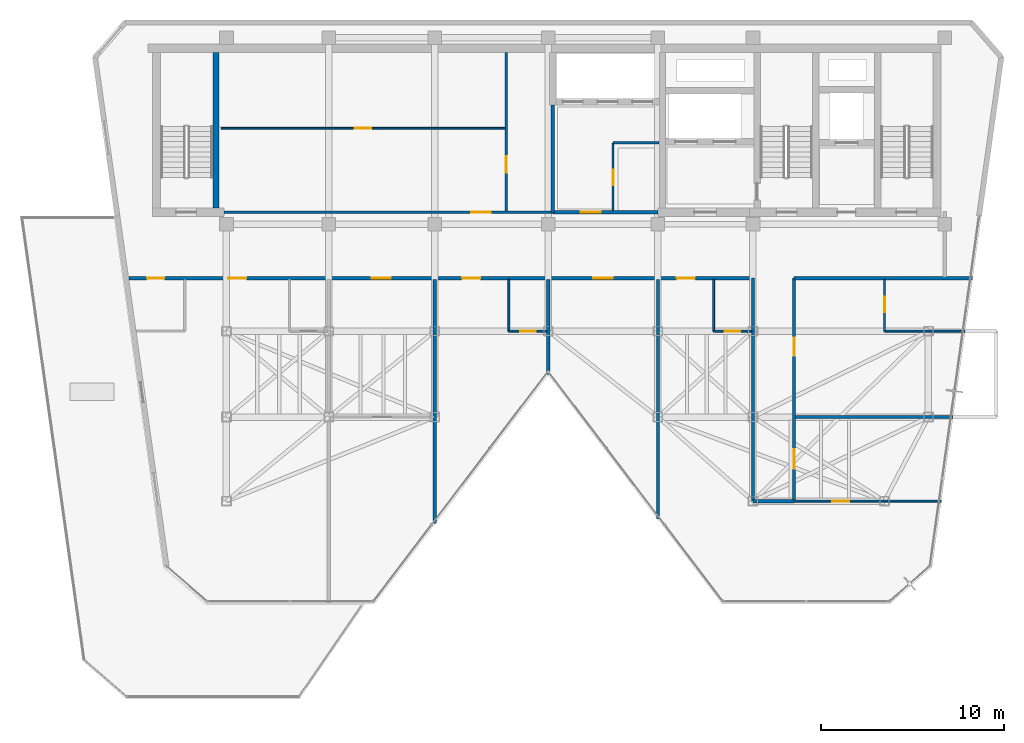
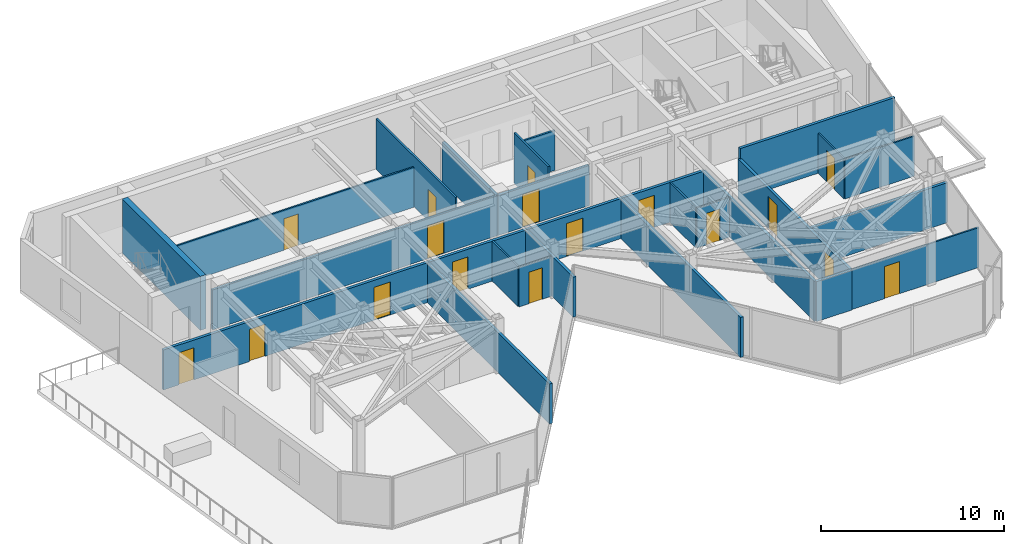
# One storey, part 16 of 21: 24 walls, 17 doors, 17 openings.
"""IFC4 building model written with IfcOpenShell, lengths in metres."""

from ifc_helpers import new_model, si_unit, direction, frame, frame_2d, origin, place, context, subcontext, project, spatial, rectangle, extrude, material, layer, layer_set, type_object, element, fill, save


model = new_model("IFC4")

# Units and contexts
model_context = context("Model", 3, precision=1e-05, world=origin(), true_north=direction((0.0, 1.0)))
body_context = subcontext(model_context, "Body", "Model", "MODEL_VIEW")
ifc_project = project(units=[si_unit("LENGTHUNIT", "METRE"), si_unit("AREAUNIT", "SQUARE_METRE"), si_unit("VOLUMEUNIT", "CUBIC_METRE"), si_unit("PLANEANGLEUNIT", "RADIAN"), si_unit("MASSUNIT", "GRAM", prefix="KILO")], contexts=[model_context])

# Site, building, storey
site_placement = place(None, origin())
site = spatial("IfcSite", under=ifc_project, at=site_placement, CompositionType="ELEMENT")
building_placement = place(site_placement, origin())
building = spatial("IfcBuilding", under=site, at=building_placement, Name="Kravanh Interchange Tower", CompositionType="ELEMENT")
storey_placement = place(building_placement, frame((0.0, 0.0, 231.0)))
storey = spatial("IfcBuildingStorey", under=building, at=storey_placement, Name="L55", CompositionType="ELEMENT", Elevation=231.0)

# Wall, opening, door
ifc_material_1 = material(Name="Double Acoustic Gypsum Board and Mineral Wool")
ifc_layer_1 = layer(ifc_material_1, 0.1201171875)
ifc_layer_set_1 = layer_set([ifc_layer_1], Name="Acoustic Office Drywall Partition 120mm")
wall_type_1 = type_object("IfcWallType", Name="Acoustic Office Drywall Partition 120mm", PredefinedType="PARTITIONING", material=ifc_layer_set_1)
wall_1_placement = place(storey_placement, frame((48.35009765625, 38.068115234375, 0.0), z_axis=(0.0, 0.0, 1.0), x_axis=(0.0, 1.0, 0.0)))
wall_1 = element("IfcWall", 1, at=wall_1_placement, inside=storey, type_object=wall_type_1, Name="L55 Interior Partition 2", PredefinedType="PARTITIONING", context=body_context, shape_type="SweptSolid", body=[
    extrude(rectangle(XDim=3.73193359375, YDim=0.1201171875, at=frame_2d((1.865966796875, 0.0))), origin(), (0.0, 0.0, 1.0), 3.360107421875),
])
opening_1_placement = place(wall_1_placement, frame((1.406982421875, 0.0, 0.0)))
opening_1 = element("IfcOpeningElement", 2, at=opening_1_placement, cuts=wall_1, Name="Opening D-85", PredefinedType="OPENING", context=body_context, shape_type="SweptSolid", body=[
    extrude(rectangle(XDim=0.85009765625, YDim=2.10009765625, at=frame_2d((0.425048828125, 1.050048828125))), frame((0.0, 0.070068359375, 0.0), z_axis=(0.0, -1.0, 0.0), x_axis=(1.0, 0.0, 0.0)), (0.0, 0.0, 1.0), 0.14013671875),
])
ifc_material_2 = material(Name="Engineered Teak Veneer Timber", Category="wood")
door_type_1 = type_object("IfcDoorType", Name="En-Suite Timber Door 850x2100", OperationType="NOTDEFINED", PredefinedType="DOOR", material=ifc_material_2)
door_1_placement = place(opening_1_placement, origin())
door_1 = element("IfcDoor", 3, at=door_1_placement, inside=storey, type_object=door_type_1, Name="L55 Core Electrical Closet Door", OperationType="SINGLE_SWING_RIGHT", OverallHeight=2.10009765625, OverallWidth=0.85009765625, PredefinedType="DOOR", context=body_context, shape_type="SweptSolid", body=[
    extrude(rectangle(XDim=0.85009765625, YDim=2.10009765625, at=frame_2d((0.425048828125, 1.050048828125))), frame((0.0, 0.02490234375, 0.0), z_axis=(0.0, -1.0, 0.0), x_axis=(1.0, 0.0, 0.0)), (0.0, 0.0, 1.0), 0.050048828125),
])
fill(opening_1, door_1)

# Wall
wall_2_placement = place(storey_placement, frame((48.35009765625, 41.800048828125, 0.0), z_axis=(0.0, 0.0, 1.0), x_axis=(1.0, 0.0, 0.0)))
element("IfcWall", 4, at=wall_2_placement, inside=storey, type_object=wall_type_1, Name="L55 Interior Partition 3", PredefinedType="PARTITIONING", context=body_context, shape_type="SweptSolid", body=[
    extrude(rectangle(XDim=2.5, YDim=0.1201171875, at=frame_2d((1.25, 0.0))), origin(), (0.0, 0.0, 1.0), 2.6640625),
])

# Wall, opening, door
wall_3_placement = place(storey_placement, frame((42.5, 38.068115234375, 0.0), z_axis=(0.0, 0.0, 1.0), x_axis=(0.0, 1.0, 0.0)))
wall_3 = element("IfcWall", 5, at=wall_3_placement, inside=storey, type_object=wall_type_1, Name="L55 Interior Partition 7", PredefinedType="PARTITIONING", context=body_context, shape_type="SweptSolid", body=[
    extrude(rectangle(XDim=8.673828125, YDim=0.1201171875, at=frame_2d((4.3369140625, 0.0))), origin(), (0.0, 0.0, 1.0), 3.360107421875),
])
opening_2_placement = place(wall_3_placement, frame((2.09130859375, 0.0, 0.0)))
opening_2 = element("IfcOpeningElement", 6, at=opening_2_placement, cuts=wall_3, Name="Opening D-90", PredefinedType="OPENING", context=body_context, shape_type="SweptSolid", body=[
    extrude(rectangle(XDim=0.89990234375, YDim=2.10009765625, at=frame_2d((0.449951171875, 1.050048828125))), frame((0.0, 0.070068359375, 0.0), z_axis=(0.0, -1.0, 0.0), x_axis=(1.0, 0.0, 0.0)), (0.0, 0.0, 1.0), 0.14013671875),
])
ifc_material_3 = material(Name="Painted Solid-Core Timber", Category="wood")
door_type_2 = type_object("IfcDoorType", Name="Service Room Door 900x2100", OperationType="NOTDEFINED", PredefinedType="DOOR", material=ifc_material_3)
door_2_placement = place(opening_2_placement, origin())
door_2 = element("IfcDoor", 7, at=door_2_placement, inside=storey, type_object=door_type_2, Name="L55 Housekeeping Inner Door", OperationType="SINGLE_SWING_LEFT", OverallHeight=2.10009765625, OverallWidth=0.89990234375, PredefinedType="DOOR", context=body_context, shape_type="SweptSolid", body=[
    extrude(rectangle(XDim=0.89990234375, YDim=2.10009765625, at=frame_2d((0.449951171875, 1.050048828125))), frame((0.0, 0.02490234375, 0.0), z_axis=(0.0, -1.0, 0.0), x_axis=(1.0, 0.0, 0.0)), (0.0, 0.0, 1.0), 0.050048828125),
])
fill(opening_2, door_2)

# Wall
ifc_material_4 = material(Name="Concrete C60/75", Category="concrete")
ifc_layer_2 = layer(ifc_material_4, 0.35009765625)
ifc_layer_set_2 = layer_set([ifc_layer_2], Name="Core Shear Wall Concrete C60/75 350mm")
wall_type_2 = type_object("IfcWallType", Name="Core Shear Wall Concrete C60/75 350mm", PredefinedType="SHEAR", material=ifc_layer_set_2)
wall_4_placement = place(storey_placement, frame((26.625, 38.22509765625, 0.0), z_axis=(0.0, 0.0, 1.0), x_axis=(0.0, 1.0, 0.0)))
element("IfcWall", 8, at=wall_4_placement, inside=storey, type_object=wall_type_2, Name="L55 Stair ST3 East Shear Wall", PredefinedType="SHEAR", context=body_context, shape_type="SweptSolid", body=[
    extrude(rectangle(XDim=8.52490234375, YDim=0.35009765625, at=frame_2d((4.262451171875, 0.0))), origin(), (0.0, 0.0, 1.0), 3.60009765625),
])

# Wall, opening, door
ifc_material_5 = material(Name="Moisture-Resistant Gypsum Board and Mineral Wool")
ifc_layer_3 = layer(ifc_material_5, 0.10009765625)
ifc_layer_set_3 = layer_set([ifc_layer_3], Name="En-Suite Moisture-Resistant Partition 100mm")
wall_type_3 = type_object("IfcWallType", Name="En-Suite Moisture-Resistant Partition 100mm", PredefinedType="PARTITIONING", material=ifc_layer_set_3)
wall_5_placement = place(storey_placement, frame((26.91796875, 42.60009765625, 0.0), z_axis=(0.0, 0.0, 1.0), x_axis=(1.0, 0.0, 0.0)))
wall_5 = element("IfcWall", 9, at=wall_5_placement, inside=storey, type_object=wall_type_3, Name="L55 Interior Partition 8", PredefinedType="PARTITIONING", context=body_context, shape_type="SweptSolid", body=[
    extrude(rectangle(XDim=15.513916015625, YDim=0.10009765625, at=frame_2d((7.7568359375, 0.0))), origin(), (0.0, 0.0, 1.0), 2.6640625),
])
opening_3_placement = place(wall_5_placement, frame((7.306884765625, 0.0, 0.0)))
opening_3 = element("IfcOpeningElement", 10, at=opening_3_placement, cuts=wall_5, Name="Opening D-90", PredefinedType="OPENING", context=body_context, shape_type="SweptSolid", body=[
    extrude(rectangle(XDim=0.89990234375, YDim=2.10009765625, at=frame_2d((0.449951171875, 1.050048828125))), frame((0.0, 0.06005859375, 0.0), z_axis=(0.0, -1.0, 0.0), x_axis=(1.0, 0.0, 0.0)), (0.0, 0.0, 1.0), 0.1201171875),
])
door_3_placement = place(opening_3_placement, origin())
door_3 = element("IfcDoor", 11, at=door_3_placement, inside=storey, type_object=door_type_2, Name="L55 Quiet Reading Alcove Inner Door", OperationType="SINGLE_SWING_RIGHT", OverallHeight=2.10009765625, OverallWidth=0.89990234375, PredefinedType="DOOR", context=body_context, shape_type="SweptSolid", body=[
    extrude(rectangle(XDim=0.89990234375, YDim=2.10009765625, at=frame_2d((0.449951171875, 1.050048828125))), frame((0.0, 0.02490234375, 0.0), z_axis=(0.0, -1.0, 0.0), x_axis=(1.0, 0.0, 0.0)), (0.0, 0.0, 1.0), 0.050048828125),
])
fill(opening_3, door_3)

wall_6_placement = place(storey_placement, frame((58.25, 22.199951171875, 0.0), z_axis=(0.0, 0.0, 1.0), x_axis=(1.0, 0.0, 0.0)))
wall_6 = element("IfcWall", 12, at=wall_6_placement, inside=storey, type_object=wall_type_3, Name="L55 Interior Partition 18", PredefinedType="PARTITIONING", context=body_context, shape_type="SweptSolid", body=[
    extrude(rectangle(XDim=8.03857421875, YDim=0.10009765625, at=frame_2d((4.019287109375, 0.0))), origin(), (0.0, 0.0, 1.0), 2.6640625),
])
opening_4_placement = place(wall_6_placement, frame((2.074951171875, 0.0, 0.0)))
opening_4 = element("IfcOpeningElement", 13, at=opening_4_placement, cuts=wall_6, Name="Opening D-95", PredefinedType="OPENING", context=body_context, shape_type="SweptSolid", body=[
    extrude(rectangle(XDim=0.949951171875, YDim=2.14990234375, at=frame_2d((0.47509765625, 1.074951171875))), frame((0.0, 0.06005859375, 0.0), z_axis=(0.0, -1.0, 0.0), x_axis=(1.0, 0.0, 0.0)), (0.0, 0.0, 1.0), 0.1201171875),
])
ifc_material_6 = material(Name="Laminate Solid-Core Timber", Category="wood")
door_type_3 = type_object("IfcDoorType", Name="Accessible Restroom Door 950x2150", OperationType="NOTDEFINED", PredefinedType="DOOR", material=ifc_material_6)
door_4_placement = place(opening_4_placement, origin())
door_4 = element("IfcDoor", 14, at=door_4_placement, inside=storey, type_object=door_type_3, Name="L55 SE Sunroom Inner Door", OperationType="SINGLE_SWING_RIGHT", OverallHeight=2.14990234375, OverallWidth=0.949951171875, PredefinedType="DOOR", context=body_context, shape_type="SweptSolid", body=[
    extrude(rectangle(XDim=0.949951171875, YDim=2.14990234375, at=frame_2d((0.47509765625, 1.074951171875))), frame((0.0, 0.02490234375, 0.0), z_axis=(0.0, -1.0, 0.0), x_axis=(1.0, 0.0, 0.0)), (0.0, 0.0, 1.0), 0.050048828125),
])
fill(opening_4, door_4)

# Wall
wall_7_placement = place(storey_placement, frame((63.199951171875, 31.5, 0.0), z_axis=(0.0, 0.0, 1.0), x_axis=(1.0, 0.0, 0.0)))
element("IfcWall", 15, at=wall_7_placement, inside=storey, type_object=wall_type_3, Name="L55 Interior Partition 19", PredefinedType="PARTITIONING", context=body_context, shape_type="SweptSolid", body=[
    extrude(rectangle(XDim=4.395751953125, YDim=0.10009765625, at=frame_2d((2.19775390625, 0.0))), origin(), (0.0, 0.0, 1.0), 2.6640625),
])

# Wall, opening, door
wall_8_placement = place(storey_placement, frame((63.199951171875, 31.5, 0.0), z_axis=(0.0, 0.0, 1.0), x_axis=(0.0, 1.0, 0.0)))
wall_8 = element("IfcWall", 16, at=wall_8_placement, inside=storey, type_object=wall_type_3, Name="L55 Interior Partition 20", PredefinedType="PARTITIONING", context=body_context, shape_type="SweptSolid", body=[
    extrude(rectangle(XDim=2.83203125, YDim=0.10009765625, at=frame_2d((1.416015625, 0.0))), origin(), (0.0, 0.0, 1.0), 2.6640625),
])
opening_5_placement = place(wall_8_placement, frame((1.02490234375, 0.0, 0.0)))
opening_5 = element("IfcOpeningElement", 17, at=opening_5_placement, cuts=wall_8, Name="Opening D-85", PredefinedType="OPENING", context=body_context, shape_type="SweptSolid", body=[
    extrude(rectangle(XDim=0.85009765625, YDim=2.10009765625, at=frame_2d((0.425048828125, 1.050048828125))), frame((0.0, 0.06005859375, 0.0), z_axis=(0.0, -1.0, 0.0), x_axis=(1.0, 0.0, 0.0)), (0.0, 0.0, 1.0), 0.1201171875),
])
door_5_placement = place(opening_5_placement, origin())
door_5 = element("IfcDoor", 18, at=door_5_placement, inside=storey, type_object=door_type_1, Name="L55 En-suite Bathroom Door", OperationType="SINGLE_SWING_RIGHT", OverallHeight=2.10009765625, OverallWidth=0.85009765625, PredefinedType="DOOR", context=body_context, shape_type="SweptSolid", body=[
    extrude(rectangle(XDim=0.85009765625, YDim=2.10009765625, at=frame_2d((0.425048828125, 1.050048828125))), frame((0.0, 0.02490234375, 0.0), z_axis=(0.0, -1.0, 0.0), x_axis=(1.0, 0.0, 0.0)), (0.0, 0.0, 1.0), 0.050048828125),
])
fill(opening_5, door_5)

# Wall
wall_9_placement = place(storey_placement, frame((42.64990234375, 31.5, 0.0), z_axis=(0.0, 0.0, 1.0), x_axis=(0.0, 1.0, 0.0)))
element("IfcWall", 19, at=wall_9_placement, inside=storey, type_object=wall_type_3, Name="L55 Interior Partition 26", PredefinedType="PARTITIONING", context=body_context, shape_type="SweptSolid", body=[
    extrude(rectangle(XDim=2.83203125, YDim=0.10009765625, at=frame_2d((1.416015625, 0.0))), origin(), (0.0, 0.0, 1.0), 2.6640625),
])

# Wall, opening, door
wall_10_placement = place(storey_placement, frame((42.64990234375, 31.5, 0.0), z_axis=(0.0, 0.0, 1.0), x_axis=(1.0, 0.0, 0.0)))
wall_10 = element("IfcWall", 20, at=wall_10_placement, inside=storey, type_object=wall_type_3, Name="L55 Interior Partition 27", PredefinedType="PARTITIONING", context=body_context, shape_type="SweptSolid", body=[
    extrude(rectangle(XDim=2.08203125, YDim=0.10009765625, at=frame_2d((1.041015625, 0.0))), origin(), (0.0, 0.0, 1.0), 2.6640625),
])
opening_6_placement = place(wall_10_placement, frame((0.607421875, 0.0, 0.0)))
opening_6 = element("IfcOpeningElement", 21, at=opening_6_placement, cuts=wall_10, Name="Opening D-85", PredefinedType="OPENING", context=body_context, shape_type="SweptSolid", body=[
    extrude(rectangle(XDim=0.85009765625, YDim=2.10009765625, at=frame_2d((0.425048828125, 1.050048828125))), frame((0.0, 0.06005859375, 0.0), z_axis=(0.0, -1.0, 0.0), x_axis=(1.0, 0.0, 0.0)), (0.0, 0.0, 1.0), 0.1201171875),
])
door_6_placement = place(opening_6_placement, origin())
door_6 = element("IfcDoor", 22, at=door_6_placement, inside=storey, type_object=door_type_1, Name="L55 En-suite Bathroom Door", OperationType="SINGLE_SWING_RIGHT", OverallHeight=2.10009765625, OverallWidth=0.85009765625, PredefinedType="DOOR", context=body_context, shape_type="SweptSolid", body=[
    extrude(rectangle(XDim=0.85009765625, YDim=2.10009765625, at=frame_2d((0.425048828125, 1.050048828125))), frame((0.0, 0.02490234375, 0.0), z_axis=(0.0, -1.0, 0.0), x_axis=(1.0, 0.0, 0.0)), (0.0, 0.0, 1.0), 0.050048828125),
])
fill(opening_6, door_6)

# Wall
wall_11_placement = place(storey_placement, frame((53.85009765625, 31.5, 0.0), z_axis=(0.0, 0.0, 1.0), x_axis=(0.0, 1.0, 0.0)))
element("IfcWall", 23, at=wall_11_placement, inside=storey, type_object=wall_type_3, Name="L55 Interior Partition 30", PredefinedType="PARTITIONING", context=body_context, shape_type="SweptSolid", body=[
    extrude(rectangle(XDim=2.83203125, YDim=0.10009765625, at=frame_2d((1.416015625, 0.0))), origin(), (0.0, 0.0, 1.0), 2.6640625),
])

# Wall, opening, door
wall_12_placement = place(storey_placement, frame((53.85009765625, 31.5, 0.0), z_axis=(0.0, 0.0, 1.0), x_axis=(1.0, 0.0, 0.0)))
wall_12 = element("IfcWall", 24, at=wall_12_placement, inside=storey, type_object=wall_type_3, Name="L55 Interior Partition 31", PredefinedType="PARTITIONING", context=body_context, shape_type="SweptSolid", body=[
    extrude(rectangle(XDim=2.081787109375, YDim=0.10009765625, at=frame_2d((1.041015625, 0.0))), origin(), (0.0, 0.0, 1.0), 2.6640625),
])
opening_7_placement = place(wall_12_placement, frame((0.607421875, 0.0, 0.0)))
opening_7 = element("IfcOpeningElement", 25, at=opening_7_placement, cuts=wall_12, Name="Opening D-85", PredefinedType="OPENING", context=body_context, shape_type="SweptSolid", body=[
    extrude(rectangle(XDim=0.85009765625, YDim=2.10009765625, at=frame_2d((0.425048828125, 1.050048828125))), frame((0.0, 0.06005859375, 0.0), z_axis=(0.0, -1.0, 0.0), x_axis=(1.0, 0.0, 0.0)), (0.0, 0.0, 1.0), 0.1201171875),
])
door_7_placement = place(opening_7_placement, origin())
door_7 = element("IfcDoor", 26, at=door_7_placement, inside=storey, type_object=door_type_1, Name="L55 En-suite Bathroom Door", OperationType="SINGLE_SWING_LEFT", OverallHeight=2.10009765625, OverallWidth=0.85009765625, PredefinedType="DOOR", context=body_context, shape_type="SweptSolid", body=[
    extrude(rectangle(XDim=0.85009765625, YDim=2.10009765625, at=frame_2d((0.425048828125, 1.050048828125))), frame((0.0, 0.02490234375, 0.0), z_axis=(0.0, -1.0, 0.0), x_axis=(1.0, 0.0, 0.0)), (0.0, 0.0, 1.0), 0.050048828125),
])
fill(opening_7, door_7)

ifc_material_7 = material(Name="Autoclaved Aerated Concrete C30/37 Blockwork", Category="masonry")
ifc_layer_4 = layer(ifc_material_7, 0.179931640625)
ifc_layer_set_4 = layer_set([ifc_layer_4], Name="Fire-Rated Lobby and Corridor Wall Concrete C30/37 180mm")
wall_type_4 = type_object("IfcWallType", Name="Fire-Rated Lobby and Corridor Wall Concrete C30/37 180mm", PredefinedType="STANDARD", material=ifc_layer_set_4)
wall_13_placement = place(storey_placement, frame((45.050048828125, 38.0, 0.0), z_axis=(0.0, 0.0, 1.0), x_axis=(1.0, 0.0, 0.0)))
wall_13 = element("IfcWall", 27, at=wall_13_placement, inside=storey, type_object=wall_type_4, Name="L55 High-Rise Lift Lobby Wall 1", PredefinedType="STANDARD", context=body_context, shape_type="SweptSolid", body=[
    extrude(rectangle(XDim=5.75, YDim=0.179931640625, at=frame_2d((2.875, 0.0))), origin(), (0.0, 0.0, 1.0), 2.6640625),
])
opening_8_placement = place(wall_13_placement, frame((1.52490234375, 0.0, 0.0)))
opening_8 = element("IfcOpeningElement", 28, at=opening_8_placement, cuts=wall_13, Name="Opening D-SHAFT-110", PredefinedType="OPENING", context=body_context, shape_type="SweptSolid", body=[
    extrude(rectangle(XDim=1.10009765625, YDim=2.199951171875, at=frame_2d((0.550048828125, 1.10009765625))), frame((0.0, 0.10009765625, 0.0), z_axis=(0.0, -1.0, 0.0), x_axis=(1.0, 0.0, 0.0)), (0.0, 0.0, 1.0), 0.199951171875),
])
ifc_material_8 = material(Name="Fire-Rated Composite Timber Leaf", Category="wood")
door_type_4 = type_object("IfcDoorType", Name="Fire-Rated Core Support Door 1100x2200", OperationType="NOTDEFINED", PredefinedType="DOOR", material=ifc_material_8)
door_8_placement = place(opening_8_placement, origin())
door_8 = element("IfcDoor", 29, at=door_8_placement, inside=storey, type_object=door_type_4, Name="L55 High-Rise Lift Lobby Door", OperationType="SINGLE_SWING_LEFT", OverallHeight=2.199951171875, OverallWidth=1.10009765625, PredefinedType="DOOR", context=body_context, shape_type="SweptSolid", body=[
    extrude(rectangle(XDim=1.10009765625, YDim=2.199951171875, at=frame_2d((0.550048828125, 1.10009765625))), frame((0.0, 0.02490234375, 0.0), z_axis=(0.0, -1.0, 0.0), x_axis=(1.0, 0.0, 0.0)), (0.0, 0.0, 1.0), 0.050048828125),
])
fill(opening_8, door_8)

# Wall
wall_14_placement = place(storey_placement, frame((45.050048828125, 38.0, 0.0), z_axis=(0.0, 0.0, 1.0), x_axis=(0.0, 1.0, 0.0)))
element("IfcWall", 30, at=wall_14_placement, inside=storey, type_object=wall_type_4, Name="L55 Interior Partition 4", PredefinedType="STANDARD", context=body_context, shape_type="SweptSolid", body=[
    extrude(rectangle(XDim=5.875, YDim=0.179931640625, at=frame_2d((2.9375, 0.0))), origin(), (0.0, 0.0, 1.0), 2.6640625),
])

# Wall, openings, doors
wall_15_placement = place(storey_placement, frame((21.869384765625, 34.39990234375, 0.0), z_axis=(0.0, 0.0, 1.0), x_axis=(1.0, 0.0, 0.0)))
wall_15 = element("IfcWall", 31, at=wall_15_placement, inside=storey, type_object=wall_type_4, Name="L55 Interior Partition 9", PredefinedType="STANDARD", context=body_context, shape_type="SweptSolid", body=[
    extrude(rectangle(XDim=34.130615234375, YDim=0.179931640625, at=frame_2d((17.0654296875, 0.0))), origin(), (0.0, 0.0, 1.0), 2.6640625),
])
opening_9_placement = place(wall_15_placement, frame((0.98486328125, 0.0, 0.0)))
opening_9 = element("IfcOpeningElement", 32, at=opening_9_placement, cuts=wall_15, Name="Opening D-95", PredefinedType="OPENING", context=body_context, shape_type="SweptSolid", body=[
    extrude(rectangle(XDim=0.949951171875, YDim=2.14990234375, at=frame_2d((0.47509765625, 1.074951171875))), frame((0.0, 0.10009765625, 0.0), z_axis=(0.0, -1.0, 0.0), x_axis=(1.0, 0.0, 0.0)), (0.0, 0.0, 1.0), 0.199951171875),
])
opening_10_placement = place(wall_15_placement, frame((5.41552734375, 0.0, 0.0)))
opening_10 = element("IfcOpeningElement", 33, at=opening_10_placement, cuts=wall_15, Name="Opening D-HOTEL-100", PredefinedType="OPENING", context=body_context, shape_type="SweptSolid", body=[
    extrude(rectangle(XDim=1.0, YDim=2.14990234375, at=frame_2d((0.5, 1.074951171875))), frame((0.0, 0.10009765625, 0.0), z_axis=(0.0, -1.0, 0.0), x_axis=(1.0, 0.0, 0.0)), (0.0, 0.0, 1.0), 0.199951171875),
])
opening_11_placement = place(wall_15_placement, frame((13.264892578125, 0.0, 0.0)))
opening_11 = element("IfcOpeningElement", 34, at=opening_11_placement, cuts=wall_15, Name="Opening D-105", PredefinedType="OPENING", context=body_context, shape_type="SweptSolid", body=[
    extrude(rectangle(XDim=1.050048828125, YDim=2.199951171875, at=frame_2d((0.52490234375, 1.10009765625))), frame((0.0, 0.10009765625, 0.0), z_axis=(0.0, -1.0, 0.0), x_axis=(1.0, 0.0, 0.0)), (0.0, 0.0, 1.0), 0.199951171875),
])
opening_12_placement = place(wall_15_placement, frame((18.21533203125, 0.0, 0.0)))
opening_12 = element("IfcOpeningElement", 35, at=opening_12_placement, cuts=wall_15, Name="Opening D-HOTEL-100", PredefinedType="OPENING", context=body_context, shape_type="SweptSolid", body=[
    extrude(rectangle(XDim=1.0, YDim=2.14990234375, at=frame_2d((0.5, 1.074951171875))), frame((0.0, 0.10009765625, 0.0), z_axis=(0.0, -1.0, 0.0), x_axis=(1.0, 0.0, 0.0)), (0.0, 0.0, 1.0), 0.199951171875),
])
opening_13_placement = place(wall_15_placement, frame((25.405517578125, 0.0, 0.0)))
opening_13 = element("IfcOpeningElement", 36, at=opening_13_placement, cuts=wall_15, Name="Opening D-105", PredefinedType="OPENING", context=body_context, shape_type="SweptSolid", body=[
    extrude(rectangle(XDim=1.050048828125, YDim=2.199951171875, at=frame_2d((0.52490234375, 1.10009765625))), frame((0.0, 0.10009765625, 0.0), z_axis=(0.0, -1.0, 0.0), x_axis=(1.0, 0.0, 0.0)), (0.0, 0.0, 1.0), 0.199951171875),
])
opening_14_placement = place(wall_15_placement, frame((29.95556640625, 0.0, 0.0)))
opening_14 = element("IfcOpeningElement", 37, at=opening_14_placement, cuts=wall_15, Name="Opening D-HOTEL-100", PredefinedType="OPENING", context=body_context, shape_type="SweptSolid", body=[
    extrude(rectangle(XDim=1.0, YDim=2.14990234375, at=frame_2d((0.5, 1.074951171875))), frame((0.0, 0.10009765625, 0.0), z_axis=(0.0, -1.0, 0.0), x_axis=(1.0, 0.0, 0.0)), (0.0, 0.0, 1.0), 0.199951171875),
])
door_9_placement = place(opening_9_placement, origin())
door_9 = element("IfcDoor", 38, at=door_9_placement, inside=storey, type_object=door_type_3, Name="L55 Accessible WC Door", OperationType="SINGLE_SWING_RIGHT", OverallHeight=2.14990234375, OverallWidth=0.949951171875, PredefinedType="DOOR", context=body_context, shape_type="SweptSolid", body=[
    extrude(rectangle(XDim=0.949951171875, YDim=2.14990234375, at=frame_2d((0.47509765625, 1.074951171875))), frame((0.0, 0.02490234375, 0.0), z_axis=(0.0, -1.0, 0.0), x_axis=(1.0, 0.0, 0.0)), (0.0, 0.0, 1.0), 0.050048828125),
])
fill(opening_9, door_9)
ifc_material_9 = material(Name="Fire-Rated Solid Timber Leaf", Category="wood")
door_type_5 = type_object("IfcDoorType", Name="Fire-Rated Suite Entrance Door 1000x2150", OperationType="NOTDEFINED", PredefinedType="DOOR", material=ifc_material_9)
door_10_placement = place(opening_10_placement, origin())
door_10 = element("IfcDoor", 39, at=door_10_placement, inside=storey, type_object=door_type_5, Name="L55 Imperial Sky Hotel Suite Entrance Door", OperationType="SINGLE_SWING_LEFT", OverallHeight=2.14990234375, OverallWidth=1.0, PredefinedType="DOOR", context=body_context, shape_type="SweptSolid", body=[
    extrude(rectangle(XDim=1.0, YDim=2.14990234375, at=frame_2d((0.5, 1.074951171875))), frame((0.0, 0.02490234375, 0.0), z_axis=(0.0, -1.0, 0.0), x_axis=(1.0, 0.0, 0.0)), (0.0, 0.0, 1.0), 0.050048828125),
])
fill(opening_10, door_10)
door_11_placement = place(opening_12_placement, origin())
door_11 = element("IfcDoor", 40, at=door_11_placement, inside=storey, type_object=door_type_5, Name="L55 Diplomatic Hotel Suite 10B Entrance Door", OperationType="SINGLE_SWING_LEFT", OverallHeight=2.14990234375, OverallWidth=1.0, PredefinedType="DOOR", context=body_context, shape_type="SweptSolid", body=[
    extrude(rectangle(XDim=1.0, YDim=2.14990234375, at=frame_2d((0.5, 1.074951171875))), frame((0.0, 0.02490234375, 0.0), z_axis=(0.0, -1.0, 0.0), x_axis=(1.0, 0.0, 0.0)), (0.0, 0.0, 1.0), 0.050048828125),
])
fill(opening_12, door_11)
door_12_placement = place(opening_14_placement, origin())
door_12 = element("IfcDoor", 41, at=door_12_placement, inside=storey, type_object=door_type_5, Name="L55 Imperial Sky Hotel Suite Entrance Door", OperationType="SINGLE_SWING_RIGHT", OverallHeight=2.14990234375, OverallWidth=1.0, PredefinedType="DOOR", context=body_context, shape_type="SweptSolid", body=[
    extrude(rectangle(XDim=1.0, YDim=2.14990234375, at=frame_2d((0.5, 1.074951171875))), frame((0.0, 0.02490234375, 0.0), z_axis=(0.0, -1.0, 0.0), x_axis=(1.0, 0.0, 0.0)), (0.0, 0.0, 1.0), 0.050048828125),
])
fill(opening_14, door_12)
ifc_material_10 = material(Name="Acoustic Glazed Oak and Aluminium", Category="aluminium")
door_type_6 = type_object("IfcDoorType", Name="Office Workplace Door 1050x2200", OperationType="NOTDEFINED", PredefinedType="DOOR", material=ifc_material_10)
door_13_placement = place(opening_11_placement, origin())
door_13 = element("IfcDoor", 42, at=door_13_placement, inside=storey, type_object=door_type_6, Name="L55 Tasting Salon Lounge Door", OperationType="SINGLE_SWING_RIGHT", OverallHeight=2.199951171875, OverallWidth=1.050048828125, PredefinedType="DOOR", context=body_context, shape_type="SweptSolid", body=[
    extrude(rectangle(XDim=1.050048828125, YDim=2.199951171875, at=frame_2d((0.52490234375, 1.10009765625))), frame((0.0, 0.02490234375, 0.0), z_axis=(0.0, -1.0, 0.0), x_axis=(1.0, 0.0, 0.0)), (0.0, 0.0, 1.0), 0.050048828125),
])
fill(opening_11, door_13)
door_14_placement = place(opening_13_placement, origin())
door_14 = element("IfcDoor", 43, at=door_14_placement, inside=storey, type_object=door_type_6, Name="L55 Wine Tasting Study Door", OperationType="SINGLE_SWING_LEFT", OverallHeight=2.199951171875, OverallWidth=1.050048828125, PredefinedType="DOOR", context=body_context, shape_type="SweptSolid", body=[
    extrude(rectangle(XDim=1.050048828125, YDim=2.199951171875, at=frame_2d((0.52490234375, 1.10009765625))), frame((0.0, 0.02490234375, 0.0), z_axis=(0.0, -1.0, 0.0), x_axis=(1.0, 0.0, 0.0)), (0.0, 0.0, 1.0), 0.050048828125),
])
fill(opening_13, door_14)

# Walls
wall_16_placement = place(storey_placement, frame((58.25, 34.39990234375, 0.0), z_axis=(0.0, 0.0, 1.0), x_axis=(1.0, 0.0, 0.0)))
element("IfcWall", 44, at=wall_16_placement, inside=storey, type_object=wall_type_4, Name="L55 Interior Partition 10", PredefinedType="STANDARD", context=body_context, shape_type="SweptSolid", body=[
    extrude(rectangle(XDim=9.75341796875, YDim=0.179931640625, at=frame_2d((4.876708984375, 0.0))), origin(), (0.0, 0.0, 1.0), 3.360107421875),
])
wall_17_placement = place(storey_placement, frame((56.0, 22.199951171875, 0.0), z_axis=(0.0, 0.0, 1.0), x_axis=(0.0, 1.0, 0.0)))
element("IfcWall", 45, at=wall_17_placement, inside=storey, type_object=wall_type_4, Name="L55 Interior Partition 12", PredefinedType="STANDARD", context=body_context, shape_type="SweptSolid", body=[
    extrude(rectangle(XDim=12.199951171875, YDim=0.179931640625, at=frame_2d((6.10009765625, 0.0))), origin(), (0.0, 0.0, 1.0), 2.6640625),
])

# Wall, openings, doors
wall_18_placement = place(storey_placement, frame((58.25, 22.199951171875, 0.0), z_axis=(0.0, 0.0, 1.0), x_axis=(0.0, 1.0, 0.0)))
wall_18 = element("IfcWall", 46, at=wall_18_placement, inside=storey, type_object=wall_type_4, Name="L55 Interior Partition 13", PredefinedType="STANDARD", context=body_context, shape_type="SweptSolid", body=[
    extrude(rectangle(XDim=12.199951171875, YDim=0.179931640625, at=frame_2d((6.10009765625, 0.0))), origin(), (0.0, 0.0, 1.0), 2.6640625),
])
opening_15_placement = place(wall_18_placement, frame((1.77490234375, 0.0, 0.0)))
opening_15 = element("IfcOpeningElement", 47, at=opening_15_placement, cuts=wall_18, Name="Opening D-105", PredefinedType="OPENING", context=body_context, shape_type="SweptSolid", body=[
    extrude(rectangle(XDim=1.050048828125, YDim=2.199951171875, at=frame_2d((0.52490234375, 1.10009765625))), frame((0.0, 0.10009765625, 0.0), z_axis=(0.0, -1.0, 0.0), x_axis=(1.0, 0.0, 0.0)), (0.0, 0.0, 1.0), 0.199951171875),
])
opening_16_placement = place(wall_18_placement, frame((7.93994140625, 0.0, 0.0)))
opening_16 = element("IfcOpeningElement", 48, at=opening_16_placement, cuts=wall_18, Name="Opening D-HOTEL-100", PredefinedType="OPENING", context=body_context, shape_type="SweptSolid", body=[
    extrude(rectangle(XDim=1.0, YDim=2.14990234375, at=frame_2d((0.5, 1.074951171875))), frame((0.0, 0.10009765625, 0.0), z_axis=(0.0, -1.0, 0.0), x_axis=(1.0, 0.0, 0.0)), (0.0, 0.0, 1.0), 0.199951171875),
])
door_15_placement = place(opening_16_placement, origin())
door_15 = element("IfcDoor", 49, at=door_15_placement, inside=storey, type_object=door_type_5, Name="L55 Hotel Guest Room East Entrance Door", OperationType="SINGLE_SWING_LEFT", OverallHeight=2.14990234375, OverallWidth=1.0, PredefinedType="DOOR", context=body_context, shape_type="SweptSolid", body=[
    extrude(rectangle(XDim=1.0, YDim=2.14990234375, at=frame_2d((0.5, 1.074951171875))), frame((0.0, 0.02490234375, 0.0), z_axis=(0.0, -1.0, 0.0), x_axis=(1.0, 0.0, 0.0)), (0.0, 0.0, 1.0), 0.050048828125),
])
fill(opening_16, door_15)
door_16_placement = place(opening_15_placement, origin())
door_16 = element("IfcDoor", 50, at=door_16_placement, inside=storey, type_object=door_type_6, Name="L55 East Sky Salon Lounge Door", OperationType="SINGLE_SWING_LEFT", OverallHeight=2.199951171875, OverallWidth=1.050048828125, PredefinedType="DOOR", context=body_context, shape_type="SweptSolid", body=[
    extrude(rectangle(XDim=1.050048828125, YDim=2.199951171875, at=frame_2d((0.52490234375, 1.10009765625))), frame((0.0, 0.02490234375, 0.0), z_axis=(0.0, -1.0, 0.0), x_axis=(1.0, 0.0, 0.0)), (0.0, 0.0, 1.0), 0.050048828125),
])
fill(opening_15, door_16)

# Walls
wall_19_placement = place(storey_placement, frame((56.0, 22.199951171875, 0.0), z_axis=(0.0, 0.0, 1.0), x_axis=(1.0, 0.0, 0.0)))
element("IfcWall", 51, at=wall_19_placement, inside=storey, type_object=wall_type_4, Name="L55 Interior Partition 14", PredefinedType="STANDARD", context=body_context, shape_type="SweptSolid", body=[
    extrude(rectangle(XDim=2.25, YDim=0.179931640625, at=frame_2d((1.125, 0.0))), origin(), (0.0, 0.0, 1.0), 2.6640625),
])
wall_20_placement = place(storey_placement, frame((58.318115234375, 26.800048828125, 0.0), z_axis=(0.0, 0.0, 1.0), x_axis=(1.0, 0.0, 0.0)))
element("IfcWall", 52, at=wall_20_placement, inside=storey, type_object=wall_type_4, Name="L55 Interior Partition 17", PredefinedType="STANDARD", context=body_context, shape_type="SweptSolid", body=[
    extrude(rectangle(XDim=8.616943359375, YDim=0.179931640625, at=frame_2d((4.30859375, 0.0))), origin(), (0.0, 0.0, 1.0), 2.6640625),
])
wall_21_placement = place(storey_placement, frame((38.60009765625, 20.966796875, 0.0), z_axis=(0.0, 0.0, 1.0), x_axis=(0.0, 1.0, 0.0)))
element("IfcWall", 53, at=wall_21_placement, inside=storey, type_object=wall_type_4, Name="L55 Interior Partition 25", PredefinedType="STANDARD", context=body_context, shape_type="SweptSolid", body=[
    extrude(rectangle(XDim=13.365234375, YDim=0.179931640625, at=frame_2d((6.6826171875, 0.0))), origin(), (0.0, 0.0, 1.0), 2.6640625),
])
wall_22_placement = place(storey_placement, frame((44.800048828125, 29.124755859375, 0.0), z_axis=(0.0, 0.0, 1.0), x_axis=(0.0, 1.0, 0.0)))
element("IfcWall", 54, at=wall_22_placement, inside=storey, type_object=wall_type_4, Name="L55 Interior Partition 28", PredefinedType="STANDARD", context=body_context, shape_type="SweptSolid", body=[
    extrude(rectangle(XDim=5.207275390625, YDim=0.179931640625, at=frame_2d((2.603515625, 0.0))), origin(), (0.0, 0.0, 1.0), 2.6640625),
])
wall_23_placement = place(storey_placement, frame((50.800048828125, 21.22998046875, 0.0), z_axis=(0.0, 0.0, 1.0), x_axis=(0.0, 1.0, 0.0)))
element("IfcWall", 55, at=wall_23_placement, inside=storey, type_object=wall_type_4, Name="L55 Interior Partition 29", PredefinedType="STANDARD", context=body_context, shape_type="SweptSolid", body=[
    extrude(rectangle(XDim=13.10205078125, YDim=0.179931640625, at=frame_2d((6.551025390625, 0.0))), origin(), (0.0, 0.0, 1.0), 2.6640625),
])

# Wall, opening, door
ifc_material_11 = material(Name="Twin Stud Acoustic Gypsum Board Wall")
ifc_layer_5 = layer(ifc_material_11, 0.14990234375)
ifc_layer_set_5 = layer_set([ifc_layer_5], Name="Medium-Duty Acoustic Partition 150mm")
wall_type_5 = type_object("IfcWallType", Name="Medium-Duty Acoustic Partition 150mm", PredefinedType="PARTITIONING", material=ifc_layer_set_5)
wall_24_placement = place(storey_placement, frame((27.050048828125, 38.0, 0.0), z_axis=(0.0, 0.0, 1.0), x_axis=(1.0, 0.0, 0.0)))
wall_24 = element("IfcWall", 56, at=wall_24_placement, inside=storey, type_object=wall_type_5, Name="L55 Interior Partition 5", PredefinedType="PARTITIONING", context=body_context, shape_type="SweptSolid", body=[
    extrude(rectangle(XDim=18.0, YDim=0.14990234375, at=frame_2d((9.0, 0.0))), origin(), (0.0, 0.0, 1.0), 2.6640625),
])
opening_17_placement = place(wall_24_placement, frame((13.550048828125, 0.0, 0.0)))
opening_17 = element("IfcOpeningElement", 57, at=opening_17_placement, cuts=wall_24, Name="Opening D-105", PredefinedType="OPENING", context=body_context, shape_type="SweptSolid", body=[
    extrude(rectangle(XDim=1.050048828125, YDim=2.199951171875, at=frame_2d((0.52490234375, 1.10009765625))), frame((0.0, 0.0849609375, 0.0), z_axis=(0.0, -1.0, 0.0), x_axis=(1.0, 0.0, 0.0)), (0.0, 0.0, 1.0), 0.169921875),
])
door_17_placement = place(opening_17_placement, origin())
door_17 = element("IfcDoor", 58, at=door_17_placement, inside=storey, type_object=door_type_6, Name="L55 Executive Business Study Door", OperationType="SINGLE_SWING_LEFT", OverallHeight=2.199951171875, OverallWidth=1.050048828125, PredefinedType="DOOR", context=body_context, shape_type="SweptSolid", body=[
    extrude(rectangle(XDim=1.050048828125, YDim=2.199951171875, at=frame_2d((0.52490234375, 1.10009765625))), frame((0.0, 0.02490234375, 0.0), z_axis=(0.0, -1.0, 0.0), x_axis=(1.0, 0.0, 0.0)), (0.0, 0.0, 1.0), 0.050048828125),
])
fill(opening_17, door_17)

save(model, "model.ifc")
